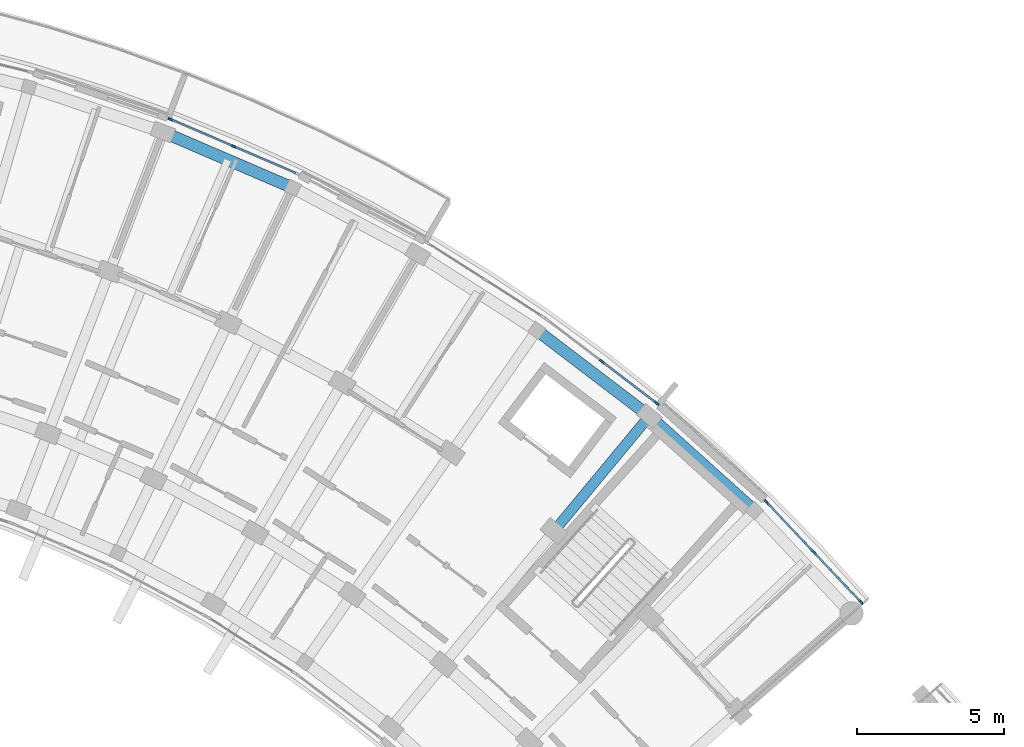
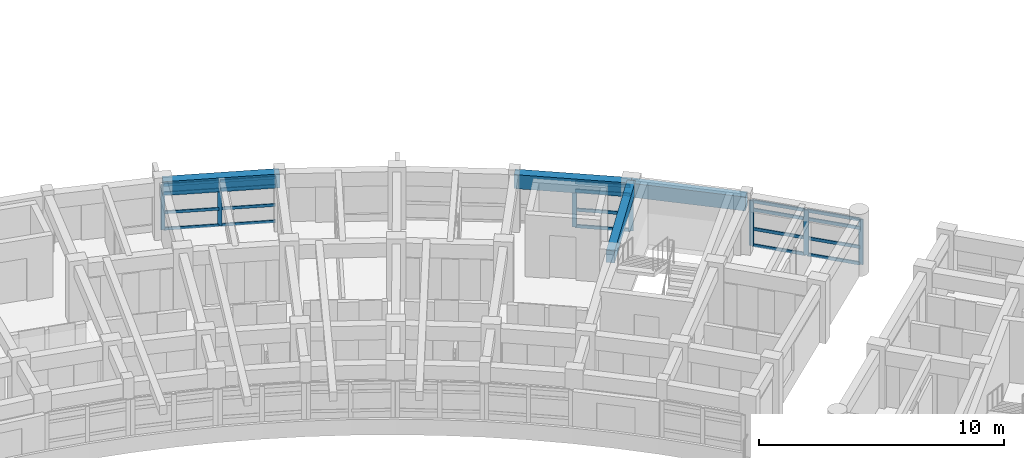
# One storey, part 16 of 55: 27 members, 4 beams, 3 elements without a shape of their own.
"""IFC4 building model written with IfcOpenShell, lengths in metres."""

from ifc_helpers import new_model, si_unit, direction, frame, origin, origin_2d, place, context, subcontext, project, spatial, rectangle, extrude, material, material_profile, profile_set, type_object, element, aggregate, save


model = new_model("IFC4")

# Units and contexts
model_context = context("Model", 3, precision=1e-05, world=origin(), true_north=direction((0.0, 1.0)))
body_context = subcontext(model_context, "Body", "Model", "MODEL_VIEW")
ifc_project = project(units=[si_unit("LENGTHUNIT", "METRE"), si_unit("AREAUNIT", "SQUARE_METRE"), si_unit("VOLUMEUNIT", "CUBIC_METRE"), si_unit("PLANEANGLEUNIT", "RADIAN"), si_unit("MASSUNIT", "GRAM", prefix="KILO")], contexts=[model_context])

# Site, building, storey
site_placement = place(None, origin())
site = spatial("IfcSite", under=ifc_project, at=site_placement, CompositionType="ELEMENT")
building_placement = place(site_placement, origin())
building = spatial("IfcBuilding", under=site, at=building_placement, Name="Zimvara Arc Housing Community", CompositionType="ELEMENT")
storey_placement = place(building_placement, frame((0.0, 0.0, 14.300048828125)))
storey = spatial("IfcBuildingStorey", under=building, at=storey_placement, Name="L04", CompositionType="ELEMENT", Elevation=14.300048828125)

# Beams
ifc_material_1 = material(Name="Concrete C40/50", Category="concrete")
ifc_material_profile_1 = material_profile(ifc_material_1, rectangle(XDim=0.35009765625, YDim=0.60009765625, at=origin_2d()), Name="RC 350x600")
ifc_profile_set_1 = profile_set([ifc_material_profile_1], Name="Concrete C40/50")
beam_type_1 = type_object("IfcBeamType", Name="BM-RC-350x600", PredefinedType="BEAM", material=ifc_profile_set_1)
beam_1_placement = place(storey_placement, frame((79.322265625, 85.9296875, 2.56005859375), z_axis=(0.637983669165, 0.77004989311, 0.0), x_axis=(-0.77004989311, 0.637983669165, 0.0)))
element("IfcBeam", 1, at=beam_1_placement, inside=storey, type_object=beam_type_1, Name="bm:blkB:L04:rad:b8:r23", PredefinedType="BEAM", context=body_context, shape_type="SweptSolid", body=[
    extrude(rectangle(XDim=0.35009765625, YDim=0.60009765625, at=origin_2d()), origin(), (0.0, 0.0, 1.0), 5.080078125),
])
ifc_material_2 = material(Name="Concrete C40/50", Category="concrete")
ifc_material_profile_2 = material_profile(ifc_material_2, rectangle(XDim=0.39990234375, YDim=0.699951171875, at=origin_2d()), Name="RC 400x700")
ifc_profile_set_2 = profile_set([ifc_material_profile_2], Name="Concrete C40/50")
beam_type_2 = type_object("IfcBeamType", Name="BM-RC-400x700", PredefinedType="BEAM", material=ifc_profile_set_2)
for number, where, z_axis, x_axis, name in (
    (2, (66.02392578125, 99.49853515625, 2.510009765625), (0.918724276228, -0.394899612901, 0.0), (0.394899612901, 0.918724276228, 0.0), "bm:blkB:L04:chord:r3:b4"),
    (3, (78.738525390625, 92.755126953125, 2.510009765625), (0.795480673672, -0.605978958228, 0.0), (0.605978958228, 0.795480673672, 0.0), "bm:blkB:L04:chord:r3:b7"),
):
    element("IfcBeam", number, at=place(storey_placement, frame(where, z_axis=z_axis, x_axis=x_axis)), inside=storey, type_object=beam_type_2, Name=name, PredefinedType="BEAM", context=body_context, shape_type="SweptSolid", body=[
        extrude(rectangle(XDim=0.39990234375, YDim=0.699951171875, at=origin_2d()), origin(), (0.0, 0.0, 1.0), 4.80810546875),
    ])
beam_2_placement = place(storey_placement, frame((82.563232421875, 89.841552734375, 2.510009765625), z_axis=(0.743395133402, -0.668852506637, 0.0), x_axis=(0.668852506637, 0.743395133402, 0.0)))
element("IfcBeam", 4, at=beam_2_placement, inside=storey, type_object=beam_type_2, Name="bm:blkB:L04:chord:r3:b8", PredefinedType="BEAM", context=body_context, shape_type="SweptSolid", body=[
    extrude(rectangle(XDim=0.39990234375, YDim=0.699951171875, at=origin_2d()), origin(), (0.0, 0.0, 1.0), 4.807861328125),
])

# Curtain wall, members
ifc_material_3 = material(Name="Anodised Aluminium AW-6063", Category="aluminium")
curtain_wall_type_1 = type_object("IfcCurtainWallType", Name="CW-SYS-02", PredefinedType="USERDEFINED", material=ifc_material_3)
curtain_wall_1_placement = place(storey_placement, origin())
curtain_wall_1 = element("IfcCurtainWall", 5, at=curtain_wall_1_placement, inside=storey, type_object=curtain_wall_type_1, Name="cw:blkB:L04:out:b4", ObjectType="CURTAIN WALL", PredefinedType="USERDEFINED")
ifc_material_4 = material(Name="Anodised Aluminium AW-6063", Category="aluminium")
ifc_material_profile_3 = material_profile(ifc_material_4, rectangle(XDim=0.06494140625, YDim=0.179931640625, at=origin_2d()), Name="ALU 65x180")
ifc_profile_set_3 = profile_set([ifc_material_profile_3], Name="Anodised Aluminium AW-6063")
member_type_1 = type_object("IfcMemberType", Name="CWM-65x150", PredefinedType="MULLION", material=ifc_profile_set_3)
member_1_placement = place(storey_placement, frame((66.287353515625, 99.92919921875, 0.0), z_axis=(0.0, 0.0, 1.0), x_axis=(0.394904211998, 0.918722299363, 0.0)))
member_1 = element("IfcMember", 6, at=member_1_placement, type_object=member_type_1, Name="CW02 mullion 1", PredefinedType="MULLION", context=body_context, shape_type="SweptSolid", body=[
    extrude(rectangle(XDim=0.06494140625, YDim=0.179931640625, at=origin_2d()), origin(), (0.0, 0.0, 1.0), 2.25),
])
member_2_placement = place(storey_placement, frame((68.429931640625, 99.00830078125, 0.0), z_axis=(0.0, 0.0, 1.0), x_axis=(0.394904211998, 0.918722299363, 0.0)))
member_2 = element("IfcMember", 7, at=member_2_placement, type_object=member_type_1, Name="CW02 mullion 2", PredefinedType="MULLION", context=body_context, shape_type="SweptSolid", body=[
    extrude(rectangle(XDim=0.06494140625, YDim=0.179931640625, at=origin_2d()), origin(), (0.0, 0.0, 1.0), 2.25),
])

ifc_material_5 = material(Name="Anodised Aluminium AW-6063", Category="aluminium")
curtain_wall_type_2 = type_object("IfcCurtainWallType", Name="CW-SYS-07", PredefinedType="USERDEFINED", material=ifc_material_5)
curtain_wall_2_placement = place(storey_placement, origin())
curtain_wall_2 = element("IfcCurtainWall", 8, at=curtain_wall_2_placement, inside=storey, type_object=curtain_wall_type_2, Name="cw:blkB:L04:out:b7", ObjectType="CURTAIN WALL", PredefinedType="USERDEFINED")
ifc_material_6 = material(Name="Anodised Aluminium AW-6063", Category="aluminium")
ifc_material_profile_4 = material_profile(ifc_material_6, rectangle(XDim=0.06494140625, YDim=0.195068359375, at=origin_2d()), Name="ALU 65x195")
ifc_profile_set_4 = profile_set([ifc_material_profile_4], Name="Anodised Aluminium AW-6063")
member_type_2 = type_object("IfcMemberType", Name="CWM-65x180", PredefinedType="MULLION", material=ifc_profile_set_4)
member_3_placement = place(storey_placement, frame((80.95361328125, 91.69580078125, 0.0), z_axis=(0.0, 0.0, 1.0), x_axis=(0.60598771987, 0.795473999177, 0.0)))
member_3 = element("IfcMember", 9, at=member_3_placement, type_object=member_type_2, Name="CW07 mullion 2", PredefinedType="MULLION", context=body_context, shape_type="SweptSolid", body=[
    extrude(rectangle(XDim=0.06494140625, YDim=0.195068359375, at=origin_2d()), origin(), (0.0, 0.0, 1.0), 2.25),
])
member_4_placement = place(storey_placement, frame((82.80859375, 90.28271484375, 0.0), z_axis=(0.0, 0.0, 1.0), x_axis=(0.60598771987, 0.795473999177, 0.0)))
member_4 = element("IfcMember", 10, at=member_4_placement, type_object=member_type_2, Name="CW07 mullion 3", PredefinedType="MULLION", context=body_context, shape_type="SweptSolid", body=[
    extrude(rectangle(XDim=0.06494140625, YDim=0.195068359375, at=origin_2d()), origin(), (0.0, 0.0, 1.0), 2.25),
])

ifc_material_7 = material(Name="Anodised Aluminium AW-6063", Category="aluminium")
curtain_wall_type_3 = type_object("IfcCurtainWallType", Name="CW-SYS-01", PredefinedType="USERDEFINED", material=ifc_material_7)
curtain_wall_3_placement = place(storey_placement, origin())
curtain_wall_3 = element("IfcCurtainWall", 11, at=curtain_wall_3_placement, inside=storey, type_object=curtain_wall_type_3, Name="cw:blkB:L04:out:b9", ObjectType="CURTAIN WALL", PredefinedType="USERDEFINED")
member_5_placement = place(storey_placement, frame((86.55029296875, 86.916015625, 0.0), z_axis=(0.0, 0.0, 1.0), x_axis=(0.727293647725, 0.686326416495, 0.0)))
member_5 = element("IfcMember", 12, at=member_5_placement, type_object=member_type_2, Name="CW01 mullion 1", PredefinedType="MULLION", context=body_context, shape_type="SweptSolid", body=[
    extrude(rectangle(XDim=0.06494140625, YDim=0.195068359375, at=origin_2d()), origin(), (0.0, 0.0, 1.0), 2.25),
])
member_6_placement = place(storey_placement, frame((88.150634765625, 85.219970703125, 0.0), z_axis=(0.0, 0.0, 1.0), x_axis=(0.727293647725, 0.686326416495, 0.0)))
member_6 = element("IfcMember", 13, at=member_6_placement, type_object=member_type_2, Name="CW01 mullion 2", PredefinedType="MULLION", context=body_context, shape_type="SweptSolid", body=[
    extrude(rectangle(XDim=0.06494140625, YDim=0.195068359375, at=origin_2d()), origin(), (0.0, 0.0, 1.0), 2.25),
])
member_7_placement = place(storey_placement, frame((89.751220703125, 83.524169921875, 0.0), z_axis=(0.0, 0.0, 1.0), x_axis=(0.727293647725, 0.686326416495, 0.0)))
member_7 = element("IfcMember", 14, at=member_7_placement, type_object=member_type_2, Name="CW01 mullion 3", PredefinedType="MULLION", context=body_context, shape_type="SweptSolid", body=[
    extrude(rectangle(XDim=0.06494140625, YDim=0.195068359375, at=origin_2d()), origin(), (0.0, 0.0, 1.0), 2.25),
])

# Member
ifc_material_8 = material(Name="Anodised Aluminium AW-6063", Category="aluminium")
ifc_material_profile_5 = material_profile(ifc_material_8, rectangle(XDim=0.06494140625, YDim=0.139892578125, at=origin_2d()), Name="ALU 65x140")
ifc_profile_set_5 = profile_set([ifc_material_profile_5], Name="Anodised Aluminium AW-6063")
member_type_3 = type_object("IfcMemberType", Name="CWT-65x120", PredefinedType="USERDEFINED", material=ifc_profile_set_5)
member_8_placement = place(storey_placement, frame((66.3173828125, 99.916259765625, 0.032470703125), z_axis=(0.918704360712, -0.394945942641, 0.0), x_axis=(0.394945942641, 0.918704360712, 0.0)))
member_8 = element("IfcMember", 15, at=member_8_placement, type_object=member_type_3, Name="CW02 transom 1.1", ObjectType="TRANSOM", PredefinedType="USERDEFINED", context=body_context, shape_type="SweptSolid", body=[
    extrude(rectangle(XDim=0.06494140625, YDim=0.139892578125, at=origin_2d()), origin(), (0.0, 0.0, 1.0), 2.266845703125),
])

member_9_placement = place(storey_placement, frame((66.3173828125, 99.916259765625, 0.849853515625), z_axis=(0.918704360712, -0.394945942641, 0.0), x_axis=(0.394945942641, 0.918704360712, 0.0)))
member_9 = element("IfcMember", 16, at=member_9_placement, type_object=member_type_3, Name="CW02 transom 1.2", ObjectType="TRANSOM", PredefinedType="USERDEFINED", context=body_context, shape_type="SweptSolid", body=[
    extrude(rectangle(XDim=0.06494140625, YDim=0.139892578125, at=origin_2d()), origin(), (0.0, 0.0, 1.0), 2.266845703125),
])

member_10_placement = place(storey_placement, frame((66.3173828125, 99.916259765625, 1.800048828125), z_axis=(0.918704360712, -0.394945942641, 0.0), x_axis=(0.394945942641, 0.918704360712, 0.0)))
member_10 = element("IfcMember", 17, at=member_10_placement, type_object=member_type_3, Name="CW02 transom 1.3", ObjectType="TRANSOM", PredefinedType="USERDEFINED", context=body_context, shape_type="SweptSolid", body=[
    extrude(rectangle(XDim=0.06494140625, YDim=0.139892578125, at=origin_2d()), origin(), (0.0, 0.0, 1.0), 2.266845703125),
])

member_11_placement = place(storey_placement, frame((66.3173828125, 99.916259765625, 2.217529296875), z_axis=(0.918704360712, -0.394945942641, 0.0), x_axis=(0.394945942641, 0.918704360712, 0.0)))
member_11 = element("IfcMember", 18, at=member_11_placement, type_object=member_type_3, Name="CW02 transom 1.4", ObjectType="TRANSOM", PredefinedType="USERDEFINED", context=body_context, shape_type="SweptSolid", body=[
    extrude(rectangle(XDim=0.06494140625, YDim=0.139892578125, at=origin_2d()), origin(), (0.0, 0.0, 1.0), 2.266845703125),
])

member_12_placement = place(storey_placement, frame((68.459716796875, 98.995361328125, 0.032470703125), z_axis=(0.918721157939, -0.394906867444, 0.0), x_axis=(0.394906867444, 0.918721157939, 0.0)))
member_12 = element("IfcMember", 19, at=member_12_placement, type_object=member_type_3, Name="CW02 transom 2.1", ObjectType="TRANSOM", PredefinedType="USERDEFINED", context=body_context, shape_type="SweptSolid", body=[
    extrude(rectangle(XDim=0.06494140625, YDim=0.139892578125, at=origin_2d()), origin(), (0.0, 0.0, 1.0), 2.26708984375),
])

member_13_placement = place(storey_placement, frame((68.459716796875, 98.995361328125, 0.849853515625), z_axis=(0.918721157939, -0.394906867444, 0.0), x_axis=(0.394906867444, 0.918721157939, 0.0)))
member_13 = element("IfcMember", 20, at=member_13_placement, type_object=member_type_3, Name="CW02 transom 2.2", ObjectType="TRANSOM", PredefinedType="USERDEFINED", context=body_context, shape_type="SweptSolid", body=[
    extrude(rectangle(XDim=0.06494140625, YDim=0.139892578125, at=origin_2d()), origin(), (0.0, 0.0, 1.0), 2.26708984375),
])

member_14_placement = place(storey_placement, frame((68.459716796875, 98.995361328125, 1.800048828125), z_axis=(0.918721157939, -0.394906867444, 0.0), x_axis=(0.394906867444, 0.918721157939, 0.0)))
member_14 = element("IfcMember", 21, at=member_14_placement, type_object=member_type_3, Name="CW02 transom 2.3", ObjectType="TRANSOM", PredefinedType="USERDEFINED", context=body_context, shape_type="SweptSolid", body=[
    extrude(rectangle(XDim=0.06494140625, YDim=0.139892578125, at=origin_2d()), origin(), (0.0, 0.0, 1.0), 2.26708984375),
])

member_15_placement = place(storey_placement, frame((68.459716796875, 98.995361328125, 2.217529296875), z_axis=(0.918721157939, -0.394906867444, 0.0), x_axis=(0.394906867444, 0.918721157939, 0.0)))
member_15 = element("IfcMember", 22, at=member_15_placement, type_object=member_type_3, Name="CW02 transom 2.4", ObjectType="TRANSOM", PredefinedType="USERDEFINED", context=body_context, shape_type="SweptSolid", body=[
    extrude(rectangle(XDim=0.06494140625, YDim=0.139892578125, at=origin_2d()), origin(), (0.0, 0.0, 1.0), 2.26708984375),
])

aggregate(curtain_wall_1, [member_1, member_2, member_8, member_9, member_10, member_11, member_12, member_13, member_14, member_15])

ifc_material_9 = material(Name="Anodised Aluminium AW-6063", Category="aluminium")
ifc_material_profile_6 = material_profile(ifc_material_9, rectangle(XDim=0.06494140625, YDim=0.155029296875, at=origin_2d()), Name="ALU 65x155")
ifc_profile_set_6 = profile_set([ifc_material_profile_6], Name="Anodised Aluminium AW-6063")
member_type_4 = type_object("IfcMemberType", Name="CWT-65x140", PredefinedType="USERDEFINED", material=ifc_profile_set_6)
member_16_placement = place(storey_placement, frame((80.9794921875, 91.676025390625, 0.032470703125), z_axis=(0.795505886513, -0.605945859399, 0.0), x_axis=(0.605945859399, 0.795505886513, 0.0)))
member_16 = element("IfcMember", 23, at=member_16_placement, type_object=member_type_4, Name="CW07 transom 2.1", ObjectType="TRANSOM", PredefinedType="USERDEFINED", context=body_context, shape_type="SweptSolid", body=[
    extrude(rectangle(XDim=0.06494140625, YDim=0.155029296875, at=origin_2d()), origin(), (0.0, 0.0, 1.0), 2.266845703125),
])

member_17_placement = place(storey_placement, frame((80.9794921875, 91.676025390625, 0.849853515625), z_axis=(0.795505886513, -0.605945859399, 0.0), x_axis=(0.605945859399, 0.795505886513, 0.0)))
member_17 = element("IfcMember", 24, at=member_17_placement, type_object=member_type_4, Name="CW07 transom 2.2", ObjectType="TRANSOM", PredefinedType="USERDEFINED", context=body_context, shape_type="SweptSolid", body=[
    extrude(rectangle(XDim=0.06494140625, YDim=0.155029296875, at=origin_2d()), origin(), (0.0, 0.0, 1.0), 2.266845703125),
])

member_18_placement = place(storey_placement, frame((80.9794921875, 91.676025390625, 1.800048828125), z_axis=(0.795505886513, -0.605945859399, 0.0), x_axis=(0.605945859399, 0.795505886513, 0.0)))
member_18 = element("IfcMember", 25, at=member_18_placement, type_object=member_type_4, Name="CW07 transom 2.3", ObjectType="TRANSOM", PredefinedType="USERDEFINED", context=body_context, shape_type="SweptSolid", body=[
    extrude(rectangle(XDim=0.06494140625, YDim=0.155029296875, at=origin_2d()), origin(), (0.0, 0.0, 1.0), 2.266845703125),
])

member_19_placement = place(storey_placement, frame((80.9794921875, 91.676025390625, 2.217529296875), z_axis=(0.795505886513, -0.605945859399, 0.0), x_axis=(0.605945859399, 0.795505886513, 0.0)))
member_19 = element("IfcMember", 26, at=member_19_placement, type_object=member_type_4, Name="CW07 transom 2.4", ObjectType="TRANSOM", PredefinedType="USERDEFINED", context=body_context, shape_type="SweptSolid", body=[
    extrude(rectangle(XDim=0.06494140625, YDim=0.155029296875, at=origin_2d()), origin(), (0.0, 0.0, 1.0), 2.266845703125),
])

aggregate(curtain_wall_2, [member_3, member_4, member_16, member_17, member_18, member_19])

member_20_placement = place(storey_placement, frame((86.572509765625, 86.892333984375, 0.032470703125), z_axis=(0.686348357589, -0.727272941911, 0.0), x_axis=(0.727272941911, 0.686348357589, 0.0)))
member_20 = element("IfcMember", 27, at=member_20_placement, type_object=member_type_4, Name="CW01 transom 1.1", ObjectType="TRANSOM", PredefinedType="USERDEFINED", context=body_context, shape_type="SweptSolid", body=[
    extrude(rectangle(XDim=0.06494140625, YDim=0.155029296875, at=origin_2d()), origin(), (0.0, 0.0, 1.0), 2.266845703125),
])

member_21_placement = place(storey_placement, frame((86.572509765625, 86.892333984375, 0.849853515625), z_axis=(0.686348357589, -0.727272941911, 0.0), x_axis=(0.727272941911, 0.686348357589, 0.0)))
member_21 = element("IfcMember", 28, at=member_21_placement, type_object=member_type_4, Name="CW01 transom 1.2", ObjectType="TRANSOM", PredefinedType="USERDEFINED", context=body_context, shape_type="SweptSolid", body=[
    extrude(rectangle(XDim=0.06494140625, YDim=0.155029296875, at=origin_2d()), origin(), (0.0, 0.0, 1.0), 2.266845703125),
])

member_22_placement = place(storey_placement, frame((86.572509765625, 86.892333984375, 1.800048828125), z_axis=(0.686348357589, -0.727272941911, 0.0), x_axis=(0.727272941911, 0.686348357589, 0.0)))
member_22 = element("IfcMember", 29, at=member_22_placement, type_object=member_type_4, Name="CW01 transom 1.3", ObjectType="TRANSOM", PredefinedType="USERDEFINED", context=body_context, shape_type="SweptSolid", body=[
    extrude(rectangle(XDim=0.06494140625, YDim=0.155029296875, at=origin_2d()), origin(), (0.0, 0.0, 1.0), 2.266845703125),
])

member_23_placement = place(storey_placement, frame((86.572509765625, 86.892333984375, 2.217529296875), z_axis=(0.686348357589, -0.727272941911, 0.0), x_axis=(0.727272941911, 0.686348357589, 0.0)))
member_23 = element("IfcMember", 30, at=member_23_placement, type_object=member_type_4, Name="CW01 transom 1.4", ObjectType="TRANSOM", PredefinedType="USERDEFINED", context=body_context, shape_type="SweptSolid", body=[
    extrude(rectangle(XDim=0.06494140625, YDim=0.155029296875, at=origin_2d()), origin(), (0.0, 0.0, 1.0), 2.266845703125),
])

member_24_placement = place(storey_placement, frame((88.173095703125, 85.196533203125, 0.032470703125), z_axis=(0.68623762882, -0.727377423894, 0.0), x_axis=(0.727377423894, 0.68623762882, 0.0)))
member_24 = element("IfcMember", 31, at=member_24_placement, type_object=member_type_4, Name="CW01 transom 2.1", ObjectType="TRANSOM", PredefinedType="USERDEFINED", context=body_context, shape_type="SweptSolid", body=[
    extrude(rectangle(XDim=0.06494140625, YDim=0.155029296875, at=origin_2d()), origin(), (0.0, 0.0, 1.0), 2.266845703125),
])

member_25_placement = place(storey_placement, frame((88.173095703125, 85.196533203125, 0.849853515625), z_axis=(0.68623762882, -0.727377423894, 0.0), x_axis=(0.727377423894, 0.68623762882, 0.0)))
member_25 = element("IfcMember", 32, at=member_25_placement, type_object=member_type_4, Name="CW01 transom 2.2", ObjectType="TRANSOM", PredefinedType="USERDEFINED", context=body_context, shape_type="SweptSolid", body=[
    extrude(rectangle(XDim=0.06494140625, YDim=0.155029296875, at=origin_2d()), origin(), (0.0, 0.0, 1.0), 2.266845703125),
])

member_26_placement = place(storey_placement, frame((88.173095703125, 85.196533203125, 1.800048828125), z_axis=(0.68623762882, -0.727377423894, 0.0), x_axis=(0.727377423894, 0.68623762882, 0.0)))
member_26 = element("IfcMember", 33, at=member_26_placement, type_object=member_type_4, Name="CW01 transom 2.3", ObjectType="TRANSOM", PredefinedType="USERDEFINED", context=body_context, shape_type="SweptSolid", body=[
    extrude(rectangle(XDim=0.06494140625, YDim=0.155029296875, at=origin_2d()), origin(), (0.0, 0.0, 1.0), 2.266845703125),
])

member_27_placement = place(storey_placement, frame((88.173095703125, 85.196533203125, 2.217529296875), z_axis=(0.68623762882, -0.727377423894, 0.0), x_axis=(0.727377423894, 0.68623762882, 0.0)))
member_27 = element("IfcMember", 34, at=member_27_placement, type_object=member_type_4, Name="CW01 transom 2.4", ObjectType="TRANSOM", PredefinedType="USERDEFINED", context=body_context, shape_type="SweptSolid", body=[
    extrude(rectangle(XDim=0.06494140625, YDim=0.155029296875, at=origin_2d()), origin(), (0.0, 0.0, 1.0), 2.266845703125),
])

aggregate(curtain_wall_3, [member_5, member_6, member_7, member_20, member_21, member_22, member_23, member_24, member_25, member_26, member_27])

save(model, "model.ifc")
